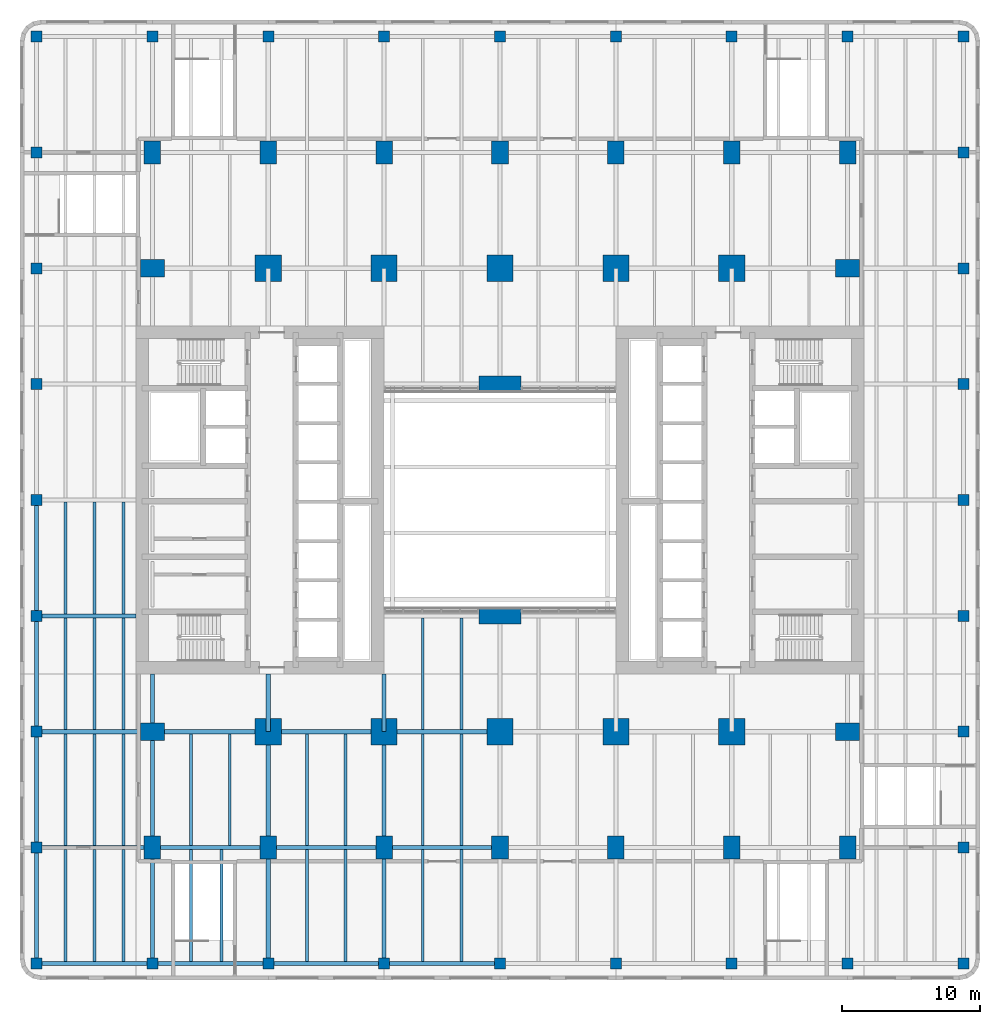
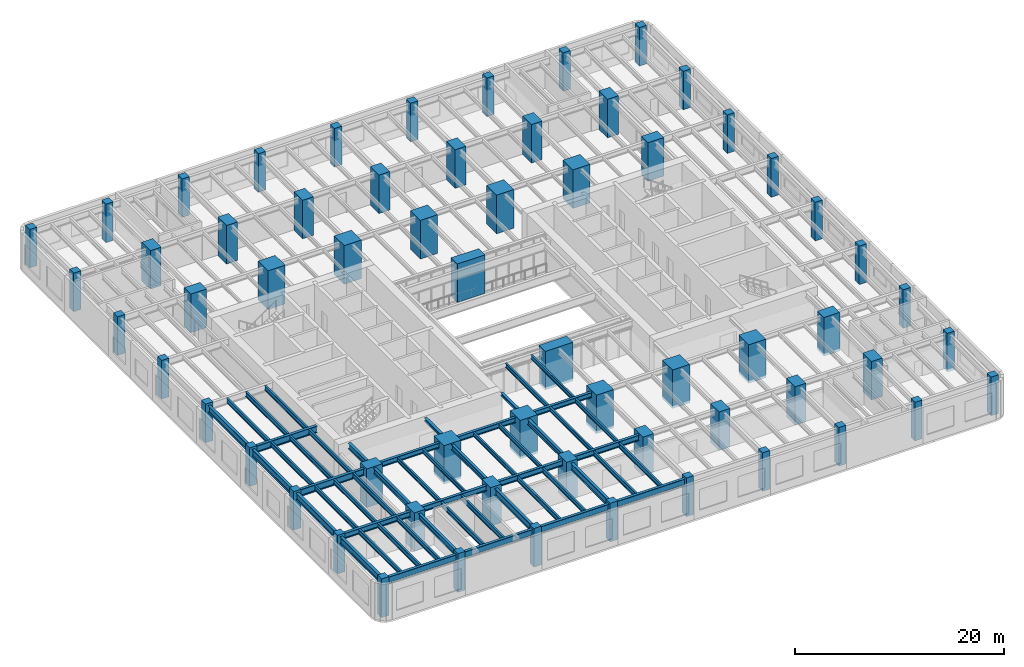
# One storey, part 1 of 22: 62 columns, 52 beams.
"""IFC4 building model written with IfcOpenShell, lengths in metres."""

import ifcopenshell
import ifcopenshell.guid

model = None  # the IFC model being written
_history = None  # IfcOwnerHistory: only IFC2X3 demands one
_inside = {}  # id of a spatial element -> (the spatial element, [elements in it])
_under = {}  # id of a project, library or spatial element -> (it, [spatial elements below it])
_declared = {}  # id of a project -> (the project, [libraries it declares])
_typed = {}  # id of a type object -> (the type object, [elements of that type])
_made_of = {}  # id of a material, layer set ... -> (it, [elements and type objects made of it])


def new_model(schema):
    """Start an empty IFC model of exactly this schema.

    Asked for "IFC4X3", IfcOpenShell would pick the latest addendum, in which some entities
    have other attributes; the version numbers below select the first issue.
    IFC2X3 requires an IfcOwnerHistory on every rooted entity: one is made here for all.
    """
    global model, _history
    if schema == "IFC4X3":
        model = ifcopenshell.file(schema_version=(4, 3, 0, 0))
    else:
        model = ifcopenshell.file(schema=schema)
    _inside.clear()
    _under.clear()
    _declared.clear()
    _typed.clear()
    _made_of.clear()
    _history = None
    if model.schema == "IFC2X3":
        org = make("IfcOrganization", Name="unknown")
        user = make(
            "IfcPersonAndOrganization",
            ThePerson=make("IfcPerson", FamilyName="unknown"),
            TheOrganization=org,
        )
        app = make(
            "IfcApplication",
            ApplicationDeveloper=org,
            Version="unknown",
            ApplicationFullName="unknown",
            ApplicationIdentifier="unknown",
        )
        _history = make(
            "IfcOwnerHistory",
            OwningUser=user,
            OwningApplication=app,
            ChangeAction="ADDED",
            CreationDate=0,
        )
    return model


def make(cls, **values):
    """One entity of the class cls with the attributes given. An attribute that is None is left unset."""
    return model.create_entity(
        cls, **{name: value for name, value in values.items() if value is not None}
    )


def rooted(cls, **values):
    """An entity with a GlobalId (a new one), such as an element, a storey or a relation."""
    return make(cls, GlobalId=ifcopenshell.guid.new(), OwnerHistory=_history, **values)


def si_unit(unit_type, name, prefix=None):
    """IfcSIUnit, for example si_unit("LENGTHUNIT", "METRE", prefix="MILLI")."""
    return make("IfcSIUnit", UnitType=unit_type, Prefix=prefix, Name=name)


def assignment(units):
    """IfcUnitAssignment: the units of a project."""
    return None if units is None else make("IfcUnitAssignment", Units=units)


def point(xyz):
    """IfcCartesianPoint."""
    return None if xyz is None else make("IfcCartesianPoint", Coordinates=xyz)


def direction(xyz):
    """IfcDirection."""
    return None if xyz is None else make("IfcDirection", DirectionRatios=xyz)


def frame(location, z_axis=None, x_axis=None):
    """IfcAxis2Placement3D, a coordinate frame: its origin and axes. An axis left out is left unset."""
    return make(
        "IfcAxis2Placement3D",
        Location=point(location),
        Axis=direction(z_axis),
        RefDirection=direction(x_axis),
    )


def frame_2d(location, x_axis=None):
    """IfcAxis2Placement2D, a coordinate frame in the plane: its origin and x axis."""
    return make(
        "IfcAxis2Placement2D", Location=point(location), RefDirection=direction(x_axis)
    )


def origin():
    """The frame at (0, 0, 0) with its axes left unset."""
    return frame((0.0, 0.0, 0.0))


def origin_2d():
    """The frame at (0, 0) in the plane with its x axis left unset."""
    return frame_2d((0.0, 0.0))


def place(relative_to, where):
    """IfcLocalPlacement: puts the frame where relative to a parent placement (None: the world)."""
    return make(
        "IfcLocalPlacement", PlacementRelTo=relative_to, RelativePlacement=where
    )


def context(
    kind, dimensions, precision=None, world=None, true_north=None, identifier=None
):
    """IfcGeometricRepresentationContext, for example the 3D "Model" context."""
    return make(
        "IfcGeometricRepresentationContext",
        ContextIdentifier=identifier,
        ContextType=kind,
        CoordinateSpaceDimension=dimensions,
        Precision=precision,
        WorldCoordinateSystem=world,
        TrueNorth=true_north,
    )


def subcontext(parent, identifier, kind, view, scale=None):
    """IfcGeometricRepresentationSubContext, for example "Body" below "Model"."""
    return make(
        "IfcGeometricRepresentationSubContext",
        ContextIdentifier=identifier,
        ContextType=kind,
        ParentContext=parent,
        TargetScale=scale,
        TargetView=view,
    )


def project(units=None, contexts=None):
    """IfcProject with its units and contexts."""
    return rooted(
        "IfcProject",
        Name="project",
        RepresentationContexts=contexts,
        UnitsInContext=assignment(units),
    )


def spatial(cls, under=None, at=None, **own):
    """A site, building, storey or space (cls), placed at a placement, below another one or the project."""
    s = rooted(cls, ObjectPlacement=at, **own)
    if under is not None:
        _under.setdefault(under.id(), (under, []))[1].append(s)
    return s


def profile(cls, at=None, kind="AREA", **sizes):
    """A parametric profile (cls). Its sizes go by their IFC names, for example OverallWidth=200.0."""
    return make(cls, ProfileType=kind, Position=at, **sizes)


def rectangle(**sizes):
    """IfcRectangleProfileDef."""
    return profile("IfcRectangleProfileDef", **sizes)


def i_section(**sizes):
    """IfcIShapeProfileDef."""
    return profile("IfcIShapeProfileDef", **sizes)


def extrude(swept, where, along, depth):
    """IfcExtrudedAreaSolid: the profile swept, set in the frame where, extruded along a direction by depth."""
    return make(
        "IfcExtrudedAreaSolid",
        SweptArea=swept,
        Position=where,
        ExtrudedDirection=direction(along),
        Depth=depth,
    )


def shape(context_of_items, identifier, shape_type, items):
    """IfcShapeRepresentation: the items that make up one representation, for example the "Body"."""
    return make(
        "IfcShapeRepresentation",
        ContextOfItems=context_of_items,
        RepresentationIdentifier=identifier,
        RepresentationType=shape_type,
        Items=items,
    )


def material(Name=None, Category=None):
    """IfcMaterial."""
    return make("IfcMaterial", Name=Name, Category=Category)


def material_profile(
    of_material, cross_section, Name=None, Category=None, Priority=None
):
    """IfcMaterialProfile: a cross section and its material."""
    return make(
        "IfcMaterialProfile",
        Name=Name,
        Material=of_material,
        Profile=cross_section,
        Priority=Priority,
        Category=Category,
    )


def profile_set(profiles, Name=None, composite=None):
    """IfcMaterialProfileSet."""
    return make(
        "IfcMaterialProfileSet",
        Name=Name,
        MaterialProfiles=profiles,
        CompositeProfile=composite,
    )


def made_of(thing, what):
    """Note that an element or type object is made of a material, layer set ...; save() writes the relation."""
    if what is not None:
        _made_of.setdefault(what.id(), (what, []))[1].append(thing)
    return thing


def type_object(cls, material=None, **own):
    """A type object (cls), such as IfcWallType, which elements share."""
    return made_of(rooted(cls, **own), material)


def element(
    cls,
    number,
    at=None,
    inside=None,
    cuts=None,
    type_object=None,
    material=None,
    context=None,
    identifier="Body",
    shape_type=None,
    held_by="IfcProductDefinitionShape",
    body=None,
    shapes=None,
    **own,
):
    """One element of the class cls, such as IfcWall. Its Tag is "e" and its number.

    at: its placement. inside: the storey or other place that contains it. cuts: it is an
    opening in that element (IfcRelVoidsElement). A single representation is given by context,
    identifier, shape_type and body (its items); several are given by shapes. held_by: the class
    of the entity that holds the representations. save() writes the other relations.
    """
    e = rooted(cls, Tag="e%d" % number, ObjectPlacement=at, **own)
    if body is not None:
        shapes = [shape(context, identifier, shape_type, body)]
    if shapes is not None:
        e.Representation = make(held_by, Representations=shapes)
    if inside is not None:
        _inside.setdefault(inside.id(), (inside, []))[1].append(e)
    if cuts is not None:
        rooted(
            "IfcRelVoidsElement", RelatingBuildingElement=cuts, RelatedOpeningElement=e
        )
    if type_object is not None:
        _typed.setdefault(type_object.id(), (type_object, []))[1].append(e)
    return made_of(e, material)


def aggregate(whole, parts):
    """IfcRelAggregates: a whole, such as a stair, and the parts it consists of."""
    return rooted("IfcRelAggregates", RelatingObject=whole, RelatedObjects=parts)


def save(model, path):
    """Write the relations noted so far, then the file.

    IfcRelAggregates (storeys below a building ...), IfcRelContainedInSpatialStructure (elements
    in a storey), IfcRelDefinesByType, IfcRelAssociatesMaterial and IfcRelDeclares: one each for
    every whole, place, type object, material and project.
    """
    for whole, parts in _under.values():
        aggregate(whole, parts)
    for where, things in _inside.values():
        rooted(
            "IfcRelContainedInSpatialStructure",
            RelatedElements=things,
            RelatingStructure=where,
        )
    for kind, things in _typed.values():
        rooted("IfcRelDefinesByType", RelatedObjects=things, RelatingType=kind)
    for what, things in _made_of.values():
        rooted("IfcRelAssociatesMaterial", RelatedObjects=things, RelatingMaterial=what)
    for by, libraries in _declared.values():
        rooted("IfcRelDeclares", RelatingContext=by, RelatedDefinitions=libraries)
    model.write(path)


model = new_model("IFC4")

# Units and contexts
model_context = context("Model", 3, precision=1e-05, world=origin(), true_north=direction((0.0, 1.0)))
body_context = subcontext(model_context, "Body", "Model", "MODEL_VIEW")
ifc_project = project(units=[si_unit("LENGTHUNIT", "METRE"), si_unit("AREAUNIT", "SQUARE_METRE"), si_unit("VOLUMEUNIT", "CUBIC_METRE"), si_unit("PLANEANGLEUNIT", "RADIAN"), si_unit("MASSUNIT", "GRAM", prefix="KILO")], contexts=[model_context])

# Site, building, storey
site_placement = place(None, origin())
site = spatial("IfcSite", under=ifc_project, at=site_placement, CompositionType="ELEMENT")
building_placement = place(site_placement, origin())
building = spatial("IfcBuilding", under=site, at=building_placement, Name="Claustro Exchange Tower", CompositionType="ELEMENT")
storey_placement = place(building_placement, frame((0.0, 0.0, 14.39990234375)))
storey = spatial("IfcBuildingStorey", under=building, at=storey_placement, Name="L03", CompositionType="ELEMENT", Elevation=14.39990234375)

# Columns
ifc_material_1 = material(Name="Concrete HA-70 (C70/85)", Category="concrete")
ifc_material_profile_1 = material_profile(ifc_material_1, rectangle(XDim=1.89990234375, YDim=1.89990234375, at=origin_2d()), Name="RC 1900x1900")
ifc_profile_set_1 = profile_set([ifc_material_profile_1], Name="Concrete HA-70 (C70/85)")
column_type_1 = type_object("IfcColumnType", Name="C13 RC 1900x1900 HA-70 column", PredefinedType="COLUMN", material=ifc_profile_set_1)
for number, where, z_axis, x_axis, name in (
    (1, (8.39990234375, 8.39990234375, 0.0), (0.0, 0.0, 1.0), (1.0, 0.0, 0.0), "Column C13 2/B L03"),
    (2, (8.39990234375, 42.0, 0.0), (0.0, 0.0, 1.0), (1.0, 0.0, 0.0), "Column C13 2/F L03"),
    (3, (16.800048828125, 8.39990234375, 0.0), (0.0, 0.0, 1.0), (1.0, 0.0, 0.0), "Column C13 3/B L03"),
    (4, (16.800048828125, 42.0, 0.0), (0.0, 0.0, 1.0), (1.0, 0.0, 0.0), "Column C13 3/F L03"),
    (5, (25.199951171875, 8.39990234375, 0.0), (0.0, 0.0, 1.0), (1.0, 0.0, 0.0), "Column C13 4/B L03"),
    (6, (25.199951171875, 42.0, 0.0), (0.0, 0.0, 1.0), (1.0, 0.0, 0.0), "Column C13 4/F L03"),
    (7, (33.60009765625, 8.39990234375, 0.0), (0.0, 0.0, 1.0), (1.0, 0.0, 0.0), "Column C13 5/B L03"),
    (8, (33.60009765625, 42.0, 0.0), (0.0, 0.0, 1.0), (1.0, 0.0, 0.0), "Column C13 5/F L03"),
    (9, (42.0, 8.39990234375, 0.0), (0.0, 0.0, 1.0), (1.0, 0.0, 0.0), "Column C13 6/B L03"),
    (10, (42.0, 42.0, 0.0), (0.0, 0.0, 1.0), (1.0, 0.0, 0.0), "Column C13 6/F L03"),
):
    element("IfcColumn", number, at=place(storey_placement, frame(where, z_axis=z_axis, x_axis=x_axis)), inside=storey, type_object=column_type_1, Name=name, PredefinedType="COLUMN", context=body_context, shape_type="SweptSolid", body=[
        extrude(rectangle(XDim=1.89990234375, YDim=1.89990234375, at=origin_2d()), origin(), (0.0, 0.0, 1.0), 4.5),
    ])
ifc_material_2 = material(Name="Concrete HA-70 (C70/85)", Category="concrete")
ifc_material_profile_2 = material_profile(ifc_material_2, rectangle(XDim=1.199951171875, YDim=1.64990234375, at=origin_2d()), Name="RC 1200x1650")
ifc_profile_set_2 = profile_set([ifc_material_profile_2], Name="Concrete HA-70 (C70/85)")
column_type_2 = type_object("IfcColumnType", Name="C19 RC 1200x1650 HA-70 perimeter column", PredefinedType="COLUMN", material=ifc_profile_set_2)
for number, where, z_axis, x_axis, name in (
    (11, (0.0, 0.0, 0.0), (0.0, 0.0, 1.0), (1.0, 0.0, 0.0), "Column C19 1/A L03"),
    (12, (0.0, 50.39990234375, 0.0), (0.0, 0.0, 1.0), (1.0, 0.0, 0.0), "Column C19 1/G L03"),
    (13, (8.39990234375, 0.0, 0.0), (0.0, 0.0, 1.0), (1.0, 0.0, 0.0), "Column C19 2/A L03"),
    (14, (8.39990234375, 50.39990234375, 0.0), (0.0, 0.0, 1.0), (1.0, 0.0, 0.0), "Column C19 2/G L03"),
    (15, (16.800048828125, 0.0, 0.0), (0.0, 0.0, 1.0), (1.0, 0.0, 0.0), "Column C19 3/A L03"),
    (16, (16.800048828125, 50.39990234375, 0.0), (0.0, 0.0, 1.0), (1.0, 0.0, 0.0), "Column C19 3/G L03"),
    (17, (25.199951171875, 0.0, 0.0), (0.0, 0.0, 1.0), (1.0, 0.0, 0.0), "Column C19 4/A L03"),
    (18, (25.199951171875, 50.39990234375, 0.0), (0.0, 0.0, 1.0), (1.0, 0.0, 0.0), "Column C19 4/G L03"),
    (19, (33.60009765625, 0.0, 0.0), (0.0, 0.0, 1.0), (1.0, 0.0, 0.0), "Column C19 5/A L03"),
    (20, (33.60009765625, 50.39990234375, 0.0), (0.0, 0.0, 1.0), (1.0, 0.0, 0.0), "Column C19 5/G L03"),
    (21, (42.0, 0.0, 0.0), (0.0, 0.0, 1.0), (1.0, 0.0, 0.0), "Column C19 6/A L03"),
    (22, (42.0, 50.39990234375, 0.0), (0.0, 0.0, 1.0), (1.0, 0.0, 0.0), "Column C19 6/G L03"),
    (23, (50.39990234375, 0.0, 0.0), (0.0, 0.0, 1.0), (1.0, 0.0, 0.0), "Column C19 7/A L03"),
    (24, (50.39990234375, 50.39990234375, 0.0), (0.0, 0.0, 1.0), (1.0, 0.0, 0.0), "Column C19 7/G L03"),
):
    element("IfcColumn", number, at=place(storey_placement, frame(where, z_axis=z_axis, x_axis=x_axis)), inside=storey, type_object=column_type_2, Name=name, PredefinedType="COLUMN", context=body_context, shape_type="SweptSolid", body=[
        extrude(rectangle(XDim=1.199951171875, YDim=1.64990234375, at=origin_2d()), origin(), (0.0, 0.0, 1.0), 4.5),
    ])
ifc_material_3 = material(Name="Concrete HA-70 (C70/85)", Category="concrete")
ifc_material_profile_3 = material_profile(ifc_material_3, rectangle(XDim=3.050048828125, YDim=1.199951171875, at=origin_2d()), Name="RC 3050x1200")
ifc_profile_set_3 = profile_set([ifc_material_profile_3], Name="Concrete HA-70 (C70/85)")
column_type_3 = type_object("IfcColumnType", Name="C29 RC 3050x1200 HA-70 light well column", PredefinedType="COLUMN", material=ifc_profile_set_3)
for number, where, z_axis, x_axis, name in (
    (25, (25.199951171875, 16.800048828125, 0.0), (0.0, 0.0, 1.0), (1.0, 0.0, 0.0), "Column C29 4/C L03"),
    (26, (25.199951171875, 33.60009765625, 0.0), (0.0, 0.0, 1.0), (1.0, 0.0, 0.0), "Column C29 4/E L03"),
):
    element("IfcColumn", number, at=place(storey_placement, frame(where, z_axis=z_axis, x_axis=x_axis)), inside=storey, type_object=column_type_3, Name=name, PredefinedType="COLUMN", context=body_context, shape_type="SweptSolid", body=[
        extrude(rectangle(XDim=3.050048828125, YDim=1.199951171875, at=origin_2d()), origin(), (0.0, 0.0, 1.0), 4.5),
    ])
ifc_material_4 = material(Name="Concrete HA-50 (C50/60)", Category="concrete")
ifc_material_profile_4 = material_profile(ifc_material_4, rectangle(XDim=0.800048828125, YDim=0.800048828125, at=origin_2d()), Name="RC 800x800")
ifc_profile_set_4 = profile_set([ifc_material_profile_4], Name="Concrete HA-50 (C50/60)")
column_type_4 = type_object("IfcColumnType", Name="C4 RC 800x800 HA-50 column", PredefinedType="COLUMN", material=ifc_profile_set_4)
for number, where, z_axis, x_axis, name in (
    (27, (-8.39990234375, -8.39990234375, 0.0), (0.0, 0.0, 1.0), (1.0, 0.0, 0.0), "Column C4 1+-8400/A+-8400 L03"),
    (28, (-8.39990234375, 0.0, 0.0), (0.0, 0.0, 1.0), (1.0, 0.0, 0.0), "Column C4 1+-8400/A L03"),
    (29, (-8.39990234375, 8.39990234375, 0.0), (0.0, 0.0, 1.0), (1.0, 0.0, 0.0), "Column C4 1+-8400/B L03"),
    (30, (-8.39990234375, 16.800048828125, 0.0), (0.0, 0.0, 1.0), (1.0, 0.0, 0.0), "Column C4 1+-8400/C L03"),
    (31, (-8.39990234375, 25.199951171875, 0.0), (0.0, 0.0, 1.0), (1.0, 0.0, 0.0), "Column C4 1+-8400/D L03"),
    (32, (-8.39990234375, 33.60009765625, 0.0), (0.0, 0.0, 1.0), (1.0, 0.0, 0.0), "Column C4 1+-8400/E L03"),
    (33, (-8.39990234375, 42.0, 0.0), (0.0, 0.0, 1.0), (1.0, 0.0, 0.0), "Column C4 1+-8400/F L03"),
    (34, (-8.39990234375, 50.39990234375, 0.0), (0.0, 0.0, 1.0), (1.0, 0.0, 0.0), "Column C4 1+-8400/G L03"),
    (35, (-8.39990234375, 58.800048828125, 0.0), (0.0, 0.0, 1.0), (1.0, 0.0, 0.0), "Column C4 1+-8400/G+8400 L03"),
    (36, (0.0, -8.39990234375, 0.0), (0.0, 0.0, 1.0), (1.0, 0.0, 0.0), "Column C4 1/A+-8400 L03"),
    (37, (0.0, 58.800048828125, 0.0), (0.0, 0.0, 1.0), (1.0, 0.0, 0.0), "Column C4 1/G+8400 L03"),
    (38, (8.39990234375, -8.39990234375, 0.0), (0.0, 0.0, 1.0), (1.0, 0.0, 0.0), "Column C4 2/A+-8400 L03"),
    (39, (8.39990234375, 58.800048828125, 0.0), (0.0, 0.0, 1.0), (1.0, 0.0, 0.0), "Column C4 2/G+8400 L03"),
    (40, (16.800048828125, -8.39990234375, 0.0), (0.0, 0.0, 1.0), (1.0, 0.0, 0.0), "Column C4 3/A+-8400 L03"),
    (41, (16.800048828125, 58.800048828125, 0.0), (0.0, 0.0, 1.0), (1.0, 0.0, 0.0), "Column C4 3/G+8400 L03"),
    (42, (25.199951171875, -8.39990234375, 0.0), (0.0, 0.0, 1.0), (1.0, 0.0, 0.0), "Column C4 4/A+-8400 L03"),
    (43, (25.199951171875, 58.800048828125, 0.0), (0.0, 0.0, 1.0), (1.0, 0.0, 0.0), "Column C4 4/G+8400 L03"),
    (44, (33.60009765625, -8.39990234375, 0.0), (0.0, 0.0, 1.0), (1.0, 0.0, 0.0), "Column C4 5/A+-8400 L03"),
    (45, (33.60009765625, 58.800048828125, 0.0), (0.0, 0.0, 1.0), (1.0, 0.0, 0.0), "Column C4 5/G+8400 L03"),
    (46, (42.0, -8.39990234375, 0.0), (0.0, 0.0, 1.0), (1.0, 0.0, 0.0), "Column C4 6/A+-8400 L03"),
    (47, (42.0, 58.800048828125, 0.0), (0.0, 0.0, 1.0), (1.0, 0.0, 0.0), "Column C4 6/G+8400 L03"),
    (48, (50.39990234375, -8.39990234375, 0.0), (0.0, 0.0, 1.0), (1.0, 0.0, 0.0), "Column C4 7/A+-8400 L03"),
    (49, (50.39990234375, 58.800048828125, 0.0), (0.0, 0.0, 1.0), (1.0, 0.0, 0.0), "Column C4 7/G+8400 L03"),
    (50, (58.800048828125, -8.39990234375, 0.0), (0.0, 0.0, 1.0), (1.0, 0.0, 0.0), "Column C4 7+8400/A+-8400 L03"),
    (51, (58.800048828125, 0.0, 0.0), (0.0, 0.0, 1.0), (1.0, 0.0, 0.0), "Column C4 7+8400/A L03"),
    (52, (58.800048828125, 8.39990234375, 0.0), (0.0, 0.0, 1.0), (1.0, 0.0, 0.0), "Column C4 7+8400/B L03"),
    (53, (58.800048828125, 16.800048828125, 0.0), (0.0, 0.0, 1.0), (1.0, 0.0, 0.0), "Column C4 7+8400/C L03"),
    (54, (58.800048828125, 25.199951171875, 0.0), (0.0, 0.0, 1.0), (1.0, 0.0, 0.0), "Column C4 7+8400/D L03"),
    (55, (58.800048828125, 33.60009765625, 0.0), (0.0, 0.0, 1.0), (1.0, 0.0, 0.0), "Column C4 7+8400/E L03"),
    (56, (58.800048828125, 42.0, 0.0), (0.0, 0.0, 1.0), (1.0, 0.0, 0.0), "Column C4 7+8400/F L03"),
    (57, (58.800048828125, 50.39990234375, 0.0), (0.0, 0.0, 1.0), (1.0, 0.0, 0.0), "Column C4 7+8400/G L03"),
    (58, (58.800048828125, 58.800048828125, 0.0), (0.0, 0.0, 1.0), (1.0, 0.0, 0.0), "Column C4 7+8400/G+8400 L03"),
):
    element("IfcColumn", number, at=place(storey_placement, frame(where, z_axis=z_axis, x_axis=x_axis)), inside=storey, type_object=column_type_4, Name=name, PredefinedType="COLUMN", context=body_context, shape_type="SweptSolid", body=[
        extrude(rectangle(XDim=0.800048828125, YDim=0.800048828125, at=origin_2d()), origin(), (0.0, 0.0, 1.0), 4.5),
    ])
ifc_material_5 = material(Name="Concrete HA-70 (C70/85)", Category="concrete")
ifc_material_profile_5 = material_profile(ifc_material_5, rectangle(XDim=1.25, YDim=1.75, at=origin_2d()), Name="RC 1250x1750")
ifc_profile_set_5 = profile_set([ifc_material_profile_5], Name="Concrete HA-70 (C70/85)")
column_type_5 = type_object("IfcColumnType", Name="C41 RC 1250x1750 HA-70 perimeter column", PredefinedType="COLUMN", material=ifc_profile_set_5)
for number, where, z_axis, x_axis, name in (
    (59, (0.0, 8.39990234375, 0.0), (0.0, 0.0, 1.0), (0.0, 1.0, 0.0), "Column C41 1/B L03"),
    (60, (0.0, 42.0, 0.0), (0.0, 0.0, 1.0), (0.0, 1.0, 0.0), "Column C41 1/F L03"),
    (61, (50.39990234375, 8.39990234375, 0.0), (0.0, 0.0, 1.0), (0.0, 1.0, 0.0), "Column C41 7/B L03"),
    (62, (50.39990234375, 42.0, 0.0), (0.0, 0.0, 1.0), (0.0, 1.0, 0.0), "Column C41 7/F L03"),
):
    element("IfcColumn", number, at=place(storey_placement, frame(where, z_axis=z_axis, x_axis=x_axis)), inside=storey, type_object=column_type_5, Name=name, PredefinedType="COLUMN", context=body_context, shape_type="SweptSolid", body=[
        extrude(rectangle(XDim=1.25, YDim=1.75, at=origin_2d()), origin(), (0.0, 0.0, 1.0), 4.5),
    ])

# Beams
ifc_material_6 = material(Name="Steel S355", Category="steel")
ifc_material_profile_6 = material_profile(ifc_material_6, i_section(OverallWidth=0.300048828125, OverallDepth=0.60009765625, WebThickness=0.015380859375, FlangeThickness=0.030029296875, FilletRadius=0.027099609375, at=origin_2d()), Name="HE 600 B")
ifc_profile_set_6 = profile_set([ifc_material_profile_6], Name="Steel S355")
beam_type_1 = type_object("IfcBeamType", Name="B1 HE 600 B floor girder", PredefinedType="BEAM", material=ifc_profile_set_6)
for number, where, z_axis, x_axis, name in (
    (63, (8.39990234375, 0.0, 4.0400390625), (0.0, 1.0, 0.0), (-1.0, 0.0, 0.0), "Beam B1 L04"),
    (64, (16.800048828125, 0.0, 4.0400390625), (0.0, 1.0, 0.0), (-1.0, 0.0, 0.0), "Beam B1 L04"),
    (65, (0.0, 8.39990234375, 4.0400390625), (1.0, 0.0, 0.0), (0.0, 1.0, 0.0), "Beam B1 L04"),
):
    element("IfcBeam", number, at=place(storey_placement, frame(where, z_axis=z_axis, x_axis=x_axis)), inside=storey, type_object=beam_type_1, Name=name, PredefinedType="BEAM", context=body_context, shape_type="SweptSolid", body=[
        extrude(i_section(OverallWidth=0.300048828125, OverallDepth=0.60009765625, WebThickness=0.015380859375, FlangeThickness=0.030029296875, FilletRadius=0.027099609375, at=origin_2d()), origin(), (0.0, 0.0, 1.0), 8.39990234375),
    ])
beam_1_placement = place(storey_placement, frame((8.39990234375, 8.39990234375, 4.0400390625), z_axis=(1.0, 0.0, 0.0), x_axis=(0.0, 1.0, 0.0)))
element("IfcBeam", 66, at=beam_1_placement, inside=storey, type_object=beam_type_1, Name="Beam B1 L04", PredefinedType="BEAM", context=body_context, shape_type="SweptSolid", body=[
    extrude(i_section(OverallWidth=0.300048828125, OverallDepth=0.60009765625, WebThickness=0.015380859375, FlangeThickness=0.030029296875, FilletRadius=0.027099609375, at=origin_2d()), origin(), (0.0, 0.0, 1.0), 8.400146484375),
])
beam_2_placement = place(storey_placement, frame((16.800048828125, 8.39990234375, 4.0400390625), z_axis=(1.0, 0.0, 0.0), x_axis=(0.0, 1.0, 0.0)))
element("IfcBeam", 67, at=beam_2_placement, inside=storey, type_object=beam_type_1, Name="Beam B1 L04", PredefinedType="BEAM", context=body_context, shape_type="SweptSolid", body=[
    extrude(i_section(OverallWidth=0.300048828125, OverallDepth=0.60009765625, WebThickness=0.015380859375, FlangeThickness=0.030029296875, FilletRadius=0.027099609375, at=origin_2d()), origin(), (0.0, 0.0, 1.0), 8.39990234375),
])
ifc_material_7 = material(Name="Steel S355", Category="steel")
ifc_material_profile_7 = material_profile(ifc_material_7, i_section(OverallWidth=0.300048828125, OverallDepth=0.800048828125, WebThickness=0.017578125, FlangeThickness=0.032958984375, FilletRadius=0.030029296875, at=origin_2d()), Name="HE 800 B")
ifc_profile_set_7 = profile_set([ifc_material_profile_7], Name="Steel S355")
beam_type_2 = type_object("IfcBeamType", Name="B18 HE 800 B floor girder", PredefinedType="BEAM", material=ifc_profile_set_7)
for number, where, z_axis, x_axis, name in (
    (68, (-8.39990234375, -8.39990234375, 3.85009765625), (0.0, 1.0, 0.0), (-1.0, 0.0, 0.0), "Beam B18 L04"),
    (69, (-8.39990234375, 0.0, 3.85009765625), (0.0, 1.0, 0.0), (-1.0, 0.0, 0.0), "Beam B18 L04"),
):
    element("IfcBeam", number, at=place(storey_placement, frame(where, z_axis=z_axis, x_axis=x_axis)), inside=storey, type_object=beam_type_2, Name=name, PredefinedType="BEAM", context=body_context, shape_type="SweptSolid", body=[
        extrude(i_section(OverallWidth=0.300048828125, OverallDepth=0.800048828125, WebThickness=0.017578125, FlangeThickness=0.032958984375, FilletRadius=0.030029296875, at=origin_2d()), origin(), (0.0, 0.0, 1.0), 8.39990234375),
    ])
beam_3_placement = place(storey_placement, frame((-8.39990234375, 8.39990234375, 3.85009765625), z_axis=(0.0, 1.0, 0.0), x_axis=(-1.0, 0.0, 0.0)))
element("IfcBeam", 70, at=beam_3_placement, inside=storey, type_object=beam_type_2, Name="Beam B18 L04", PredefinedType="BEAM", context=body_context, shape_type="SweptSolid", body=[
    extrude(i_section(OverallWidth=0.300048828125, OverallDepth=0.800048828125, WebThickness=0.017578125, FlangeThickness=0.032958984375, FilletRadius=0.030029296875, at=origin_2d()), origin(), (0.0, 0.0, 1.0), 8.400146484375),
])
for number, where, z_axis, x_axis, name in (
    (71, (-8.39990234375, 16.800048828125, 3.85009765625), (0.0, 1.0, 0.0), (-1.0, 0.0, 0.0), "Beam B18 L04"),
    (72, (8.39990234375, -8.39990234375, 3.85009765625), (0.0, 1.0, 0.0), (-1.0, 0.0, 0.0), "Beam B18 L04"),
    (73, (16.800048828125, -8.39990234375, 3.85009765625), (0.0, 1.0, 0.0), (-1.0, 0.0, 0.0), "Beam B18 L04"),
    (74, (-8.39990234375, -8.39990234375, 3.85009765625), (1.0, 0.0, 0.0), (0.0, 1.0, 0.0), "Beam B18 L04"),
    (75, (0.0, -8.39990234375, 3.85009765625), (1.0, 0.0, 0.0), (0.0, 1.0, 0.0), "Beam B18 L04"),
):
    element("IfcBeam", number, at=place(storey_placement, frame(where, z_axis=z_axis, x_axis=x_axis)), inside=storey, type_object=beam_type_2, Name=name, PredefinedType="BEAM", context=body_context, shape_type="SweptSolid", body=[
        extrude(i_section(OverallWidth=0.300048828125, OverallDepth=0.800048828125, WebThickness=0.017578125, FlangeThickness=0.032958984375, FilletRadius=0.030029296875, at=origin_2d()), origin(), (0.0, 0.0, 1.0), 8.39990234375),
    ])
beam_4_placement = place(storey_placement, frame((8.39990234375, -8.39990234375, 3.85009765625), z_axis=(1.0, 0.0, 0.0), x_axis=(0.0, 1.0, 0.0)))
element("IfcBeam", 76, at=beam_4_placement, inside=storey, type_object=beam_type_2, Name="Beam B18 L04", PredefinedType="BEAM", context=body_context, shape_type="SweptSolid", body=[
    extrude(i_section(OverallWidth=0.300048828125, OverallDepth=0.800048828125, WebThickness=0.017578125, FlangeThickness=0.032958984375, FilletRadius=0.030029296875, at=origin_2d()), origin(), (0.0, 0.0, 1.0), 8.400146484375),
])
for number, where, z_axis, x_axis, name in (
    (77, (16.800048828125, -8.39990234375, 3.85009765625), (1.0, 0.0, 0.0), (0.0, 1.0, 0.0), "Beam B18 L04"),
    (78, (-8.39990234375, 8.39990234375, 3.85009765625), (1.0, 0.0, 0.0), (0.0, 1.0, 0.0), "Beam B18 L04"),
):
    element("IfcBeam", number, at=place(storey_placement, frame(where, z_axis=z_axis, x_axis=x_axis)), inside=storey, type_object=beam_type_2, Name=name, PredefinedType="BEAM", context=body_context, shape_type="SweptSolid", body=[
        extrude(i_section(OverallWidth=0.300048828125, OverallDepth=0.800048828125, WebThickness=0.017578125, FlangeThickness=0.032958984375, FilletRadius=0.030029296875, at=origin_2d()), origin(), (0.0, 0.0, 1.0), 8.39990234375),
    ])
beam_5_placement = place(storey_placement, frame((-8.39990234375, 16.800048828125, 3.85009765625), z_axis=(1.0, 0.0, 0.0), x_axis=(0.0, 1.0, 0.0)))
element("IfcBeam", 79, at=beam_5_placement, inside=storey, type_object=beam_type_2, Name="Beam B18 L04", PredefinedType="BEAM", context=body_context, shape_type="SweptSolid", body=[
    extrude(i_section(OverallWidth=0.300048828125, OverallDepth=0.800048828125, WebThickness=0.017578125, FlangeThickness=0.032958984375, FilletRadius=0.030029296875, at=origin_2d()), origin(), (0.0, 0.0, 1.0), 7.199951171875),
])
ifc_material_8 = material(Name="Steel S355", Category="steel")
ifc_material_profile_8 = material_profile(ifc_material_8, i_section(OverallWidth=0.2099609375, OverallDepth=0.550048828125, WebThickness=0.010986328125, FlangeThickness=0.01708984375, FilletRadius=0.02392578125, at=origin_2d()), Name="IPE 550")
ifc_profile_set_8 = profile_set([ifc_material_profile_8], Name="Steel S355")
beam_type_3 = type_object("IfcBeamType", Name="B19 IPE 550 secondary beam", PredefinedType="BEAM", material=ifc_profile_set_8)
for number, where, z_axis, x_axis, name in (
    (80, (-6.300048828125, -8.25, 3.97509765625), (0.0, 1.0, 0.0), (-1.0, 0.0, 0.0), "Beam B19 L04"),
    (81, (-4.199951171875, -8.25, 3.97509765625), (0.0, 1.0, 0.0), (-1.0, 0.0, 0.0), "Beam B19 L04"),
    (82, (-2.10009765625, -8.25, 3.97509765625), (0.0, 1.0, 0.0), (-1.0, 0.0, 0.0), "Beam B19 L04"),
    (83, (-6.300048828125, 0.14990234375, 3.97509765625), (0.0, 1.0, 0.0), (-1.0, 0.0, 0.0), "Beam B19 L04"),
    (84, (-4.199951171875, 0.14990234375, 3.97509765625), (0.0, 1.0, 0.0), (-1.0, 0.0, 0.0), "Beam B19 L04"),
    (85, (-2.10009765625, 0.14990234375, 3.97509765625), (0.0, 1.0, 0.0), (-1.0, 0.0, 0.0), "Beam B19 L04"),
):
    element("IfcBeam", number, at=place(storey_placement, frame(where, z_axis=z_axis, x_axis=x_axis)), inside=storey, type_object=beam_type_3, Name=name, PredefinedType="BEAM", context=body_context, shape_type="SweptSolid", body=[
        extrude(i_section(OverallWidth=0.2099609375, OverallDepth=0.550048828125, WebThickness=0.010986328125, FlangeThickness=0.01708984375, FilletRadius=0.02392578125, at=origin_2d()), origin(), (0.0, 0.0, 1.0), 8.10009765625),
    ])
for number, where, z_axis, x_axis, name in (
    (86, (-6.300048828125, 8.550048828125, 3.97509765625), (0.0, 1.0, 0.0), (-1.0, 0.0, 0.0), "Beam B19 L04"),
    (87, (-4.199951171875, 8.550048828125, 3.97509765625), (0.0, 1.0, 0.0), (-1.0, 0.0, 0.0), "Beam B19 L04"),
    (88, (-2.10009765625, 8.550048828125, 3.97509765625), (0.0, 1.0, 0.0), (-1.0, 0.0, 0.0), "Beam B19 L04"),
):
    element("IfcBeam", number, at=place(storey_placement, frame(where, z_axis=z_axis, x_axis=x_axis)), inside=storey, type_object=beam_type_3, Name=name, PredefinedType="BEAM", context=body_context, shape_type="SweptSolid", body=[
        extrude(i_section(OverallWidth=0.2099609375, OverallDepth=0.550048828125, WebThickness=0.010986328125, FlangeThickness=0.01708984375, FilletRadius=0.02392578125, at=origin_2d()), origin(), (0.0, 0.0, 1.0), 8.099853515625),
    ])
for number, where, z_axis, x_axis, name in (
    (89, (-6.300048828125, 16.949951171875, 3.97509765625), (0.0, 1.0, 0.0), (-1.0, 0.0, 0.0), "Beam B19 L04"),
    (90, (-4.199951171875, 16.949951171875, 3.97509765625), (0.0, 1.0, 0.0), (-1.0, 0.0, 0.0), "Beam B19 L04"),
    (91, (-2.10009765625, 16.949951171875, 3.97509765625), (0.0, 1.0, 0.0), (-1.0, 0.0, 0.0), "Beam B19 L04"),
    (92, (2.800048828125, -8.25, 3.97509765625), (0.0, 1.0, 0.0), (-1.0, 0.0, 0.0), "Beam B19 L04"),
    (93, (5.0, -8.25, 3.97509765625), (0.0, 1.0, 0.0), (-1.0, 0.0, 0.0), "Beam B19 L04"),
    (94, (11.199951171875, -8.25, 3.97509765625), (0.0, 1.0, 0.0), (-1.0, 0.0, 0.0), "Beam B19 L04"),
    (95, (14.0, -8.25, 3.97509765625), (0.0, 1.0, 0.0), (-1.0, 0.0, 0.0), "Beam B19 L04"),
    (96, (19.60009765625, -8.25, 3.97509765625), (0.0, 1.0, 0.0), (-1.0, 0.0, 0.0), "Beam B19 L04"),
    (97, (22.39990234375, -8.25, 3.97509765625), (0.0, 1.0, 0.0), (-1.0, 0.0, 0.0), "Beam B19 L04"),
):
    element("IfcBeam", number, at=place(storey_placement, frame(where, z_axis=z_axis, x_axis=x_axis)), inside=storey, type_object=beam_type_3, Name=name, PredefinedType="BEAM", context=body_context, shape_type="SweptSolid", body=[
        extrude(i_section(OverallWidth=0.2099609375, OverallDepth=0.550048828125, WebThickness=0.010986328125, FlangeThickness=0.01708984375, FilletRadius=0.02392578125, at=origin_2d()), origin(), (0.0, 0.0, 1.0), 8.10009765625),
    ])
ifc_material_9 = material(Name="Steel S355", Category="steel")
ifc_material_profile_9 = material_profile(ifc_material_9, i_section(OverallWidth=0.199951171875, OverallDepth=0.5, WebThickness=0.01025390625, FlangeThickness=0.01611328125, FilletRadius=0.02099609375, at=origin_2d()), Name="IPE 500")
ifc_profile_set_9 = profile_set([ifc_material_profile_9], Name="Steel S355")
beam_type_4 = type_object("IfcBeamType", Name="B2 IPE 500 secondary beam", PredefinedType="BEAM", material=ifc_profile_set_9)
for number, where, z_axis, x_axis, name in (
    (98, (2.800048828125, 0.14990234375, 4.090087890625), (0.0, 1.0, 0.0), (-1.0, 0.0, 0.0), "Beam B2 L04"),
    (99, (5.60009765625, 0.14990234375, 4.090087890625), (0.0, 1.0, 0.0), (-1.0, 0.0, 0.0), "Beam B2 L04"),
    (100, (11.199951171875, 0.14990234375, 4.090087890625), (0.0, 1.0, 0.0), (-1.0, 0.0, 0.0), "Beam B2 L04"),
    (101, (14.0, 0.14990234375, 4.090087890625), (0.0, 1.0, 0.0), (-1.0, 0.0, 0.0), "Beam B2 L04"),
    (102, (19.60009765625, 0.14990234375, 4.090087890625), (0.0, 1.0, 0.0), (-1.0, 0.0, 0.0), "Beam B2 L04"),
    (103, (22.39990234375, 0.14990234375, 4.090087890625), (0.0, 1.0, 0.0), (-1.0, 0.0, 0.0), "Beam B2 L04"),
):
    element("IfcBeam", number, at=place(storey_placement, frame(where, z_axis=z_axis, x_axis=x_axis)), inside=storey, type_object=beam_type_4, Name=name, PredefinedType="BEAM", context=body_context, shape_type="SweptSolid", body=[
        extrude(i_section(OverallWidth=0.199951171875, OverallDepth=0.5, WebThickness=0.01025390625, FlangeThickness=0.01611328125, FilletRadius=0.02099609375, at=origin_2d()), origin(), (0.0, 0.0, 1.0), 8.10009765625),
    ])
for number, where, z_axis, x_axis, name in (
    (104, (19.60009765625, 8.550048828125, 4.090087890625), (0.0, 1.0, 0.0), (-1.0, 0.0, 0.0), "Beam B2 L04"),
    (105, (22.39990234375, 8.550048828125, 4.090087890625), (0.0, 1.0, 0.0), (-1.0, 0.0, 0.0), "Beam B2 L04"),
):
    element("IfcBeam", number, at=place(storey_placement, frame(where, z_axis=z_axis, x_axis=x_axis)), inside=storey, type_object=beam_type_4, Name=name, PredefinedType="BEAM", context=body_context, shape_type="SweptSolid", body=[
        extrude(i_section(OverallWidth=0.199951171875, OverallDepth=0.5, WebThickness=0.01025390625, FlangeThickness=0.01611328125, FilletRadius=0.02099609375, at=origin_2d()), origin(), (0.0, 0.0, 1.0), 8.099853515625),
    ])
ifc_material_10 = material(Name="Steel S355", Category="steel")
ifc_material_profile_10 = material_profile(ifc_material_10, i_section(OverallWidth=0.300048828125, OverallDepth=0.64990234375, WebThickness=0.01611328125, FlangeThickness=0.031005859375, FilletRadius=0.027099609375, at=origin_2d()), Name="HE 650 B")
ifc_profile_set_10 = profile_set([ifc_material_profile_10], Name="Steel S355")
beam_type_5 = type_object("IfcBeamType", Name="B26 HE 650 B podium roof spandrel edge girder", PredefinedType="SPANDREL", material=ifc_profile_set_10)
for number, where, z_axis, x_axis, name in (
    (106, (0.0, -8.39990234375, 3.925048828125), (0.0, 1.0, 0.0), (-1.0, 0.0, 0.0), "Beam B26 L04"),
    (107, (0.0, 0.0, 4.01513671875), (0.0, 1.0, 0.0), (-1.0, 0.0, 0.0), "Beam B26 L04"),
):
    element("IfcBeam", number, at=place(storey_placement, frame(where, z_axis=z_axis, x_axis=x_axis)), inside=storey, type_object=beam_type_5, Name=name, PredefinedType="SPANDREL", context=body_context, shape_type="SweptSolid", body=[
        extrude(i_section(OverallWidth=0.300048828125, OverallDepth=0.64990234375, WebThickness=0.01611328125, FlangeThickness=0.031005859375, FilletRadius=0.027099609375, at=origin_2d()), origin(), (0.0, 0.0, 1.0), 8.39990234375),
    ])
beam_6_placement = place(storey_placement, frame((0.0, 8.39990234375, 4.01513671875), z_axis=(0.0, 1.0, 0.0), x_axis=(-1.0, 0.0, 0.0)))
element("IfcBeam", 108, at=beam_6_placement, inside=storey, type_object=beam_type_5, Name="Beam B26 L04", PredefinedType="SPANDREL", context=body_context, shape_type="SweptSolid", body=[
    extrude(i_section(OverallWidth=0.300048828125, OverallDepth=0.64990234375, WebThickness=0.01611328125, FlangeThickness=0.031005859375, FilletRadius=0.027099609375, at=origin_2d()), origin(), (0.0, 0.0, 1.0), 4.2001953125),
])
for number, where, z_axis, x_axis, name in (
    (109, (-8.39990234375, 0.0, 3.925048828125), (1.0, 0.0, 0.0), (0.0, 1.0, 0.0), "Beam B26 L04"),
    (110, (0.0, 0.0, 4.01513671875), (1.0, 0.0, 0.0), (0.0, 1.0, 0.0), "Beam B26 L04"),
):
    element("IfcBeam", number, at=place(storey_placement, frame(where, z_axis=z_axis, x_axis=x_axis)), inside=storey, type_object=beam_type_5, Name=name, PredefinedType="SPANDREL", context=body_context, shape_type="SweptSolid", body=[
        extrude(i_section(OverallWidth=0.300048828125, OverallDepth=0.64990234375, WebThickness=0.01611328125, FlangeThickness=0.031005859375, FilletRadius=0.027099609375, at=origin_2d()), origin(), (0.0, 0.0, 1.0), 8.39990234375),
    ])
beam_7_placement = place(storey_placement, frame((8.39990234375, 0.0, 4.01513671875), z_axis=(1.0, 0.0, 0.0), x_axis=(0.0, 1.0, 0.0)))
element("IfcBeam", 111, at=beam_7_placement, inside=storey, type_object=beam_type_5, Name="Beam B26 L04", PredefinedType="SPANDREL", context=body_context, shape_type="SweptSolid", body=[
    extrude(i_section(OverallWidth=0.300048828125, OverallDepth=0.64990234375, WebThickness=0.01611328125, FlangeThickness=0.031005859375, FilletRadius=0.027099609375, at=origin_2d()), origin(), (0.0, 0.0, 1.0), 8.400146484375),
])
beam_8_placement = place(storey_placement, frame((16.800048828125, 0.0, 4.01513671875), z_axis=(1.0, 0.0, 0.0), x_axis=(0.0, 1.0, 0.0)))
element("IfcBeam", 112, at=beam_8_placement, inside=storey, type_object=beam_type_5, Name="Beam B26 L04", PredefinedType="SPANDREL", context=body_context, shape_type="SweptSolid", body=[
    extrude(i_section(OverallWidth=0.300048828125, OverallDepth=0.64990234375, WebThickness=0.01611328125, FlangeThickness=0.031005859375, FilletRadius=0.027099609375, at=origin_2d()), origin(), (0.0, 0.0, 1.0), 8.39990234375),
])
ifc_material_11 = material(Name="Steel S355", Category="steel")
ifc_material_profile_11 = material_profile(ifc_material_11, i_section(OverallWidth=0.300048828125, OverallDepth=0.360107421875, WebThickness=0.012451171875, FlangeThickness=0.0224609375, FilletRadius=0.027099609375, at=origin_2d()), Name="HE 360 B")
ifc_profile_set_11 = profile_set([ifc_material_profile_11], Name="Steel S355")
beam_type_6 = type_object("IfcBeamType", Name="B29 HE 360 B column to core link beam", PredefinedType="BEAM", material=ifc_profile_set_11)
for number, where, z_axis, x_axis, name in (
    (113, (8.39990234375, 8.39990234375, 4.16015625), (0.0, 1.0, 0.0), (-1.0, 0.0, 0.0), "Beam B29 L04"),
    (114, (16.800048828125, 8.39990234375, 4.16015625), (0.0, 1.0, 0.0), (-1.0, 0.0, 0.0), "Beam B29 L04"),
):
    element("IfcBeam", number, at=place(storey_placement, frame(where, z_axis=z_axis, x_axis=x_axis)), inside=storey, type_object=beam_type_6, Name=name, PredefinedType="BEAM", context=body_context, shape_type="SweptSolid", body=[
        extrude(i_section(OverallWidth=0.300048828125, OverallDepth=0.360107421875, WebThickness=0.012451171875, FlangeThickness=0.0224609375, FilletRadius=0.027099609375, at=origin_2d()), origin(), (0.0, 0.0, 1.0), 4.2001953125),
    ])

save(model, "model.ifc")
